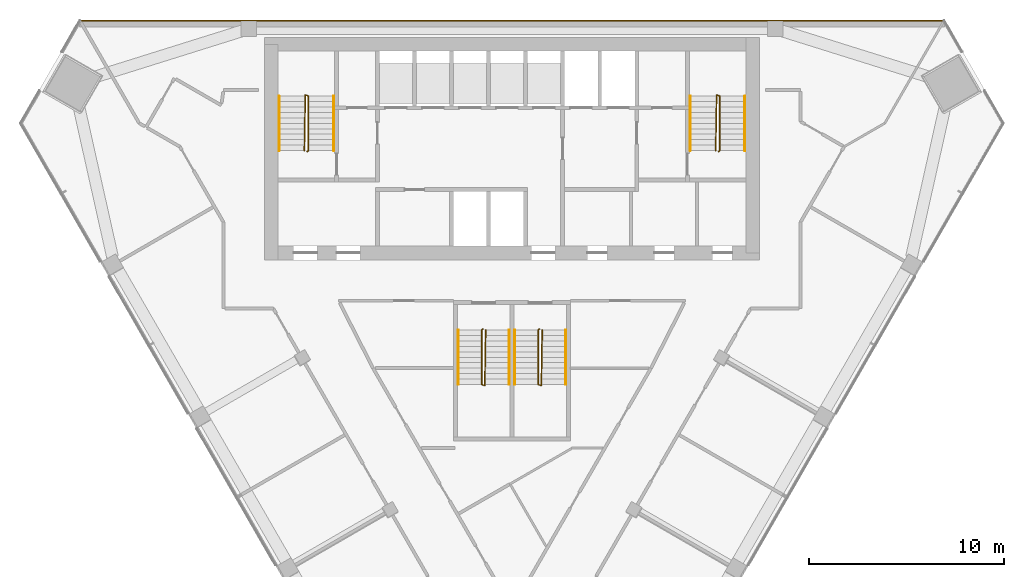
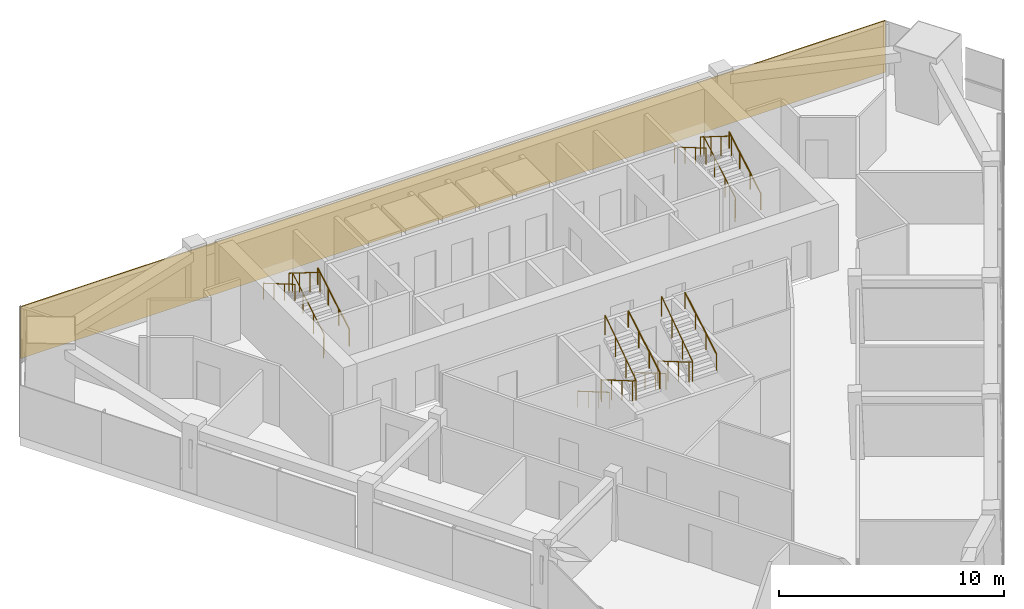
# One storey, part 12 of 13: 12 railings, 1 covering.
"""IFC4 building model written with IfcOpenShell, lengths in metres."""

from ifc_helpers import new_model, si_unit, direction, frame, frame_2d, origin, origin_2d, place, context, subcontext, project, spatial, rectangle, circle, extrude, material, layer, layer_set, type_object, element, save


model = new_model("IFC4")

# Units and contexts
model_context = context("Model", 3, precision=1e-05, world=origin(), true_north=direction((0.0, 1.0)))
body_context = subcontext(model_context, "Body", "Model", "MODEL_VIEW")
ifc_project = project(units=[si_unit("LENGTHUNIT", "METRE"), si_unit("AREAUNIT", "SQUARE_METRE"), si_unit("VOLUMEUNIT", "CUBIC_METRE"), si_unit("PLANEANGLEUNIT", "RADIAN"), si_unit("MASSUNIT", "GRAM", prefix="KILO")], contexts=[model_context])

# Site, building, storey
site_placement = place(None, origin())
site = spatial("IfcSite", under=ifc_project, at=site_placement, CompositionType="ELEMENT")
building_placement = place(site_placement, origin())
building = spatial("IfcBuilding", under=site, at=building_placement, Name="Altiplano Prism Tower", CompositionType="ELEMENT")
storey_placement = place(building_placement, frame((0.0, 0.0, 208.800048828125)))
storey = spatial("IfcBuildingStorey", under=building, at=storey_placement, Name="L54", CompositionType="ELEMENT", Elevation=208.800048828125)

# Railings
ifc_material_1 = material(Name="Steel S355", Category="steel")
railing_type_1 = type_object("IfcRailingType", Name="Stair guard 1100", PredefinedType="GUARDRAIL", material=ifc_material_1)
railing_1_placement = place(storey_placement, frame((74.5, 98.25, 0.0)))
element("IfcRailing", 1, at=railing_1_placement, inside=storey, type_object=railing_type_1, Name="L54 ST1 stair guard 1", PredefinedType="GUARDRAIL", context=body_context, shape_type="SweptSolid", body=[
    extrude(circle(Radius=0.02392578125, at=origin_2d()), frame((0.0, 0.0, 1.076171875), z_axis=(0.280808744504, 0.280808744504, 0.917765164963), x_axis=(-0.707106781187, 0.707106781187, 0.0)), (0.0, 0.0, 1.0), 0.17822265625),
    extrude(circle(Radius=0.02392578125, at=origin_2d()), frame((0.050048828125, 0.050048828125, 1.23974609375), z_axis=(0.0, 0.863360870873, 0.504586966384), x_axis=(-1.0, 0.0, 0.0)), (0.0, 0.0, 1.0), 3.2431640625),
    extrude(circle(Radius=0.02392578125, at=origin_2d()), frame((0.050048828125, 2.85009765625, 2.8759765625), z_axis=(-0.949145278916, 0.314838433982, 0.0), x_axis=(-0.314838433982, -0.949145278916, 0.0)), (0.0, 0.0, 1.0), 0.158203125),
    extrude(circle(Radius=0.02392578125, at=origin_2d()), frame((-0.10009765625, 2.89990234375, 2.8759765625), z_axis=(-0.014774583964, -0.845410385345, 0.533912906773), x_axis=(0.999847325713, -0.01747355902, 0.0)), (0.0, 0.0, 1.0), 3.370849609375),
    extrude(circle(Radius=0.02099609375, at=origin_2d()), origin(), (0.0, 0.0, 1.0), 1.052001953125),
    extrude(circle(Radius=0.02099609375, at=origin_2d()), frame((0.050048828125, 0.050048828125, 0.16357421875)), (0.0, 0.0, 1.0), 1.052001953125),
    extrude(circle(Radius=0.02099609375, at=origin_2d()), frame((0.050048828125, 0.9833984375, 0.708984375)), (0.0, 0.0, 1.0), 1.052001953125),
    extrude(circle(Radius=0.02099609375, at=origin_2d()), frame((0.050048828125, 1.916748046875, 1.254638671875)), (0.0, 0.0, 1.0), 1.052001953125),
    extrude(circle(Radius=0.02099609375, at=origin_2d()), frame((0.050048828125, 2.85009765625, 1.800048828125)), (0.0, 0.0, 1.0), 1.052001953125),
    extrude(circle(Radius=0.02099609375, at=origin_2d()), frame((-0.10009765625, 2.89990234375, 1.800048828125)), (0.0, 0.0, 1.0), 1.052001953125),
    extrude(circle(Radius=0.02099609375, at=origin_2d()), frame((-0.11669921875, 1.949951171875, 2.39990234375)), (0.0, 0.0, 1.0), 1.052001953125),
    extrude(circle(Radius=0.02099609375, at=origin_2d()), frame((-0.13330078125, 1.0, 3.0)), (0.0, 0.0, 1.0), 1.052001953125),
    extrude(circle(Radius=0.02099609375, at=origin_2d()), frame((-0.14990234375, 0.050048828125, 3.599853515625)), (0.0, 0.0, 1.0), 1.052001953125),
])
railing_2_placement = place(storey_placement, frame((95.60009765625, 98.25, 0.0)))
element("IfcRailing", 2, at=railing_2_placement, inside=storey, type_object=railing_type_1, Name="L54 ST2 stair guard 1", PredefinedType="GUARDRAIL", context=body_context, shape_type="SweptSolid", body=[
    extrude(circle(Radius=0.02392578125, at=origin_2d()), frame((0.0, 0.0, 1.076171875), z_axis=(0.279546231943, 0.280916556609, 0.91811752648), x_axis=(-0.708833529934, 0.705375805398, 0.0)), (0.0, 0.0, 1.0), 0.17822265625),
    extrude(circle(Radius=0.02392578125, at=origin_2d()), frame((0.0498046875, 0.050048828125, 1.23974609375), z_axis=(0.0, 0.863360870873, 0.504586966384), x_axis=(-1.0, 0.0, 0.0)), (0.0, 0.0, 1.0), 3.2431640625),
    extrude(circle(Radius=0.02392578125, at=origin_2d()), frame((0.0498046875, 2.85009765625, 2.8759765625), z_axis=(-0.948991962702, 0.315300261223, 0.0), x_axis=(-0.315300261223, -0.948991962702, 0.0)), (0.0, 0.0, 1.0), 0.157958984375),
    extrude(circle(Radius=0.02392578125, at=origin_2d()), frame((-0.10009765625, 2.89990234375, 2.8759765625), z_axis=(-0.014846992469, -0.845409478506, 0.533912334065), x_axis=(0.999845825584, -0.017559187376, 0.0)), (0.0, 0.0, 1.0), 3.37109375),
    extrude(circle(Radius=0.02099609375, at=origin_2d()), origin(), (0.0, 0.0, 1.0), 1.052001953125),
    extrude(circle(Radius=0.02099609375, at=origin_2d()), frame((0.0498046875, 0.050048828125, 0.16357421875)), (0.0, 0.0, 1.0), 1.052001953125),
    extrude(circle(Radius=0.02099609375, at=origin_2d()), frame((0.0498046875, 0.9833984375, 0.708984375)), (0.0, 0.0, 1.0), 1.052001953125),
    extrude(circle(Radius=0.02099609375, at=origin_2d()), frame((0.0498046875, 1.916748046875, 1.254638671875)), (0.0, 0.0, 1.0), 1.052001953125),
    extrude(circle(Radius=0.02099609375, at=origin_2d()), frame((0.0498046875, 2.85009765625, 1.800048828125)), (0.0, 0.0, 1.0), 1.052001953125),
    extrude(circle(Radius=0.02099609375, at=origin_2d()), frame((-0.10009765625, 2.89990234375, 1.800048828125)), (0.0, 0.0, 1.0), 1.052001953125),
    extrude(circle(Radius=0.02099609375, at=origin_2d()), frame((-0.11669921875, 1.949951171875, 2.39990234375)), (0.0, 0.0, 1.0), 1.052001953125),
    extrude(circle(Radius=0.02099609375, at=origin_2d()), frame((-0.133544921875, 1.0, 3.0)), (0.0, 0.0, 1.0), 1.052001953125),
    extrude(circle(Radius=0.02099609375, at=origin_2d()), frame((-0.150146484375, 0.050048828125, 3.599853515625)), (0.0, 0.0, 1.0), 1.052001953125),
])
railing_3_placement = place(storey_placement, frame((83.5, 89.14990234375, 0.0)))
element("IfcRailing", 3, at=railing_3_placement, inside=storey, type_object=railing_type_1, Name="L54 ST3A stair guard 1", PredefinedType="GUARDRAIL", context=body_context, shape_type="SweptSolid", body=[
    extrude(circle(Radius=0.02392578125, at=origin_2d()), frame((0.0, 0.0, 1.076171875), z_axis=(-0.280916556609, -0.279546231943, 0.91811752648), x_axis=(0.705375805398, -0.708833529934, 0.0)), (0.0, 0.0, 1.0), 0.17822265625),
    extrude(circle(Radius=0.02392578125, at=origin_2d()), frame((-0.050048828125, -0.0498046875, 1.23974609375), z_axis=(0.0, -0.863360870873, 0.504586966384), x_axis=(1.0, 0.0, 0.0)), (0.0, 0.0, 1.0), 3.2431640625),
    extrude(circle(Radius=0.02392578125, at=origin_2d()), frame((-0.050048828125, -2.849853515625, 2.8759765625), z_axis=(0.948683298051, -0.316227766017, 0.0), x_axis=(0.316227766017, 0.948683298051, 0.0)), (0.0, 0.0, 1.0), 0.158203125),
    extrude(circle(Radius=0.02392578125, at=origin_2d()), frame((0.10009765625, -2.89990234375, 2.8759765625), z_axis=(0.014773679385, 0.845431044782, 0.53388021776), x_axis=(-0.999847351862, 0.017472062685, 0.0)), (0.0, 0.0, 1.0), 3.37109375),
    extrude(circle(Radius=0.02099609375, at=origin_2d()), origin(), (0.0, 0.0, 1.0), 1.052001953125),
    extrude(circle(Radius=0.02099609375, at=origin_2d()), frame((-0.050048828125, -0.0498046875, 0.16357421875)), (0.0, 0.0, 1.0), 1.052001953125),
    extrude(circle(Radius=0.02099609375, at=origin_2d()), frame((-0.050048828125, -0.983154296875, 0.708984375)), (0.0, 0.0, 1.0), 1.052001953125),
    extrude(circle(Radius=0.02099609375, at=origin_2d()), frame((-0.050048828125, -1.91650390625, 1.254638671875)), (0.0, 0.0, 1.0), 1.052001953125),
    extrude(circle(Radius=0.02099609375, at=origin_2d()), frame((-0.050048828125, -2.849853515625, 1.800048828125)), (0.0, 0.0, 1.0), 1.052001953125),
    extrude(circle(Radius=0.02099609375, at=origin_2d()), frame((0.10009765625, -2.89990234375, 1.800048828125)), (0.0, 0.0, 1.0), 1.052001953125),
    extrude(circle(Radius=0.02099609375, at=origin_2d()), frame((0.11669921875, -1.949951171875, 2.39990234375)), (0.0, 0.0, 1.0), 1.052001953125),
    extrude(circle(Radius=0.02099609375, at=origin_2d()), frame((0.13330078125, -0.999755859375, 3.0)), (0.0, 0.0, 1.0), 1.052001953125),
    extrude(circle(Radius=0.02099609375, at=origin_2d()), frame((0.14990234375, -0.0498046875, 3.599853515625)), (0.0, 0.0, 1.0), 1.052001953125),
])
railing_4_placement = place(storey_placement, frame((86.39990234375, 89.14990234375, 0.0)))
element("IfcRailing", 4, at=railing_4_placement, inside=storey, type_object=railing_type_1, Name="L54 ST3B stair guard 1", PredefinedType="GUARDRAIL", context=body_context, shape_type="SweptSolid", body=[
    extrude(circle(Radius=0.02392578125, at=origin_2d()), frame((0.0, 0.0, 1.076171875), z_axis=(-0.279653641804, -0.279653641804, 0.918470294159), x_axis=(0.707106781187, -0.707106781187, 0.0)), (0.0, 0.0, 1.0), 0.177978515625),
    extrude(circle(Radius=0.02392578125, at=origin_2d()), frame((-0.0498046875, -0.0498046875, 1.23974609375), z_axis=(0.0, -0.863360870873, 0.504586966384), x_axis=(1.0, 0.0, 0.0)), (0.0, 0.0, 1.0), 3.2431640625),
    extrude(circle(Radius=0.02392578125, at=origin_2d()), frame((-0.0498046875, -2.849853515625, 2.8759765625), z_axis=(0.948528701346, -0.316691178788, 0.0), x_axis=(0.316691178788, 0.948528701346, 0.0)), (0.0, 0.0, 1.0), 0.157958984375),
    extrude(circle(Radius=0.02392578125, at=origin_2d()), frame((0.10009765625, -2.89990234375, 2.8759765625), z_axis=(0.014846083459, 0.845430138032, 0.533879645158), x_axis=(-0.999845851991, 0.017557683712, 0.0)), (0.0, 0.0, 1.0), 3.37109375),
    extrude(circle(Radius=0.02099609375, at=origin_2d()), origin(), (0.0, 0.0, 1.0), 1.052001953125),
    extrude(circle(Radius=0.02099609375, at=origin_2d()), frame((-0.0498046875, -0.0498046875, 0.16357421875)), (0.0, 0.0, 1.0), 1.052001953125),
    extrude(circle(Radius=0.02099609375, at=origin_2d()), frame((-0.0498046875, -0.983154296875, 0.708984375)), (0.0, 0.0, 1.0), 1.052001953125),
    extrude(circle(Radius=0.02099609375, at=origin_2d()), frame((-0.0498046875, -1.91650390625, 1.254638671875)), (0.0, 0.0, 1.0), 1.052001953125),
    extrude(circle(Radius=0.02099609375, at=origin_2d()), frame((-0.0498046875, -2.849853515625, 1.800048828125)), (0.0, 0.0, 1.0), 1.052001953125),
    extrude(circle(Radius=0.02099609375, at=origin_2d()), frame((0.10009765625, -2.89990234375, 1.800048828125)), (0.0, 0.0, 1.0), 1.052001953125),
    extrude(circle(Radius=0.02099609375, at=origin_2d()), frame((0.11669921875, -1.949951171875, 2.39990234375)), (0.0, 0.0, 1.0), 1.052001953125),
    extrude(circle(Radius=0.02099609375, at=origin_2d()), frame((0.133544921875, -0.999755859375, 3.0)), (0.0, 0.0, 1.0), 1.052001953125),
    extrude(circle(Radius=0.02099609375, at=origin_2d()), frame((0.150146484375, -0.0498046875, 3.599853515625)), (0.0, 0.0, 1.0), 1.052001953125),
])
railing_type_2 = type_object("IfcRailingType", Name="Stair handrail 900", PredefinedType="HANDRAIL", material=ifc_material_1)
railing_5_placement = place(storey_placement, frame((75.85009765625, 98.300048828125, 0.16357421875)))
element("IfcRailing", 5, at=railing_5_placement, inside=storey, type_object=railing_type_2, Name="L54 ST1 stair handrail 1", PredefinedType="HANDRAIL", context=body_context, shape_type="SweptSolid", body=[
    extrude(circle(Radius=0.02392578125, at=origin_2d()), frame((0.0, 0.0, 0.8759765625), z_axis=(0.0, 0.863360870873, 0.504586966384), x_axis=(-1.0, 0.0, 0.0)), (0.0, 0.0, 1.0), 3.2431640625),
    extrude(circle(Radius=0.02099609375, at=origin_2d()), origin(), (0.0, 0.0, 1.0), 0.851806640625),
    extrude(circle(Radius=0.02099609375, at=origin_2d()), frame((0.0, 0.933349609375, 0.54541015625)), (0.0, 0.0, 1.0), 0.851806640625),
    extrude(circle(Radius=0.02099609375, at=origin_2d()), frame((0.0, 1.86669921875, 1.091064453125)), (0.0, 0.0, 1.0), 0.851806640625),
    extrude(circle(Radius=0.02099609375, at=origin_2d()), frame((0.0, 2.800048828125, 1.636474609375)), (0.0, 0.0, 1.0), 0.851806640625),
])
railing_6_placement = place(storey_placement, frame((73.050048828125, 101.10009765625, 1.963623046875)))
element("IfcRailing", 6, at=railing_6_placement, inside=storey, type_object=railing_type_2, Name="L54 ST1 stair handrail 2", PredefinedType="HANDRAIL", context=body_context, shape_type="SweptSolid", body=[
    extrude(circle(Radius=0.02392578125, at=origin_2d()), frame((0.0, 0.0, 0.8759765625), z_axis=(0.0, -0.863393664356, 0.504530851732), x_axis=(1.0, 0.0, 0.0)), (0.0, 0.0, 1.0), 3.2431640625),
    extrude(circle(Radius=0.02099609375, at=origin_2d()), origin(), (0.0, 0.0, 1.0), 0.851806640625),
    extrude(circle(Radius=0.02099609375, at=origin_2d()), frame((0.0, -0.933349609375, 0.54541015625)), (0.0, 0.0, 1.0), 0.851806640625),
    extrude(circle(Radius=0.02099609375, at=origin_2d()), frame((0.0, -1.86669921875, 1.0908203125)), (0.0, 0.0, 1.0), 0.851806640625),
    extrude(circle(Radius=0.02099609375, at=origin_2d()), frame((0.0, -2.800048828125, 1.63623046875)), (0.0, 0.0, 1.0), 0.851806640625),
])
railing_7_placement = place(storey_placement, frame((96.949951171875, 98.300048828125, 0.16357421875)))
element("IfcRailing", 7, at=railing_7_placement, inside=storey, type_object=railing_type_2, Name="L54 ST2 stair handrail 1", PredefinedType="HANDRAIL", context=body_context, shape_type="SweptSolid", body=[
    extrude(circle(Radius=0.02392578125, at=origin_2d()), frame((0.0, 0.0, 0.8759765625), z_axis=(0.0, 0.863360870873, 0.504586966384), x_axis=(-1.0, 0.0, 0.0)), (0.0, 0.0, 1.0), 3.2431640625),
    extrude(circle(Radius=0.02099609375, at=origin_2d()), origin(), (0.0, 0.0, 1.0), 0.851806640625),
    extrude(circle(Radius=0.02099609375, at=origin_2d()), frame((0.0, 0.933349609375, 0.54541015625)), (0.0, 0.0, 1.0), 0.851806640625),
    extrude(circle(Radius=0.02099609375, at=origin_2d()), frame((0.0, 1.86669921875, 1.091064453125)), (0.0, 0.0, 1.0), 0.851806640625),
    extrude(circle(Radius=0.02099609375, at=origin_2d()), frame((0.0, 2.800048828125, 1.636474609375)), (0.0, 0.0, 1.0), 0.851806640625),
])
railing_8_placement = place(storey_placement, frame((94.14990234375, 101.10009765625, 1.963623046875)))
element("IfcRailing", 8, at=railing_8_placement, inside=storey, type_object=railing_type_2, Name="L54 ST2 stair handrail 2", PredefinedType="HANDRAIL", context=body_context, shape_type="SweptSolid", body=[
    extrude(circle(Radius=0.02392578125, at=origin_2d()), frame((0.0, 0.0, 0.8759765625), z_axis=(0.0, -0.863393664356, 0.504530851732), x_axis=(1.0, 0.0, 0.0)), (0.0, 0.0, 1.0), 3.2431640625),
    extrude(circle(Radius=0.02099609375, at=origin_2d()), origin(), (0.0, 0.0, 1.0), 0.851806640625),
    extrude(circle(Radius=0.02099609375, at=origin_2d()), frame((0.0, -0.933349609375, 0.54541015625)), (0.0, 0.0, 1.0), 0.851806640625),
    extrude(circle(Radius=0.02099609375, at=origin_2d()), frame((0.0, -1.86669921875, 1.0908203125)), (0.0, 0.0, 1.0), 0.851806640625),
    extrude(circle(Radius=0.02099609375, at=origin_2d()), frame((0.0, -2.800048828125, 1.63623046875)), (0.0, 0.0, 1.0), 0.851806640625),
])
railing_9_placement = place(storey_placement, frame((82.25, 89.10009765625, 0.16357421875)))
element("IfcRailing", 9, at=railing_9_placement, inside=storey, type_object=railing_type_2, Name="L54 ST3A stair handrail 1", PredefinedType="HANDRAIL", context=body_context, shape_type="SweptSolid", body=[
    extrude(circle(Radius=0.02392578125, at=origin_2d()), frame((0.0, 0.0, 0.8759765625), z_axis=(0.0, -0.863360870873, 0.504586966384), x_axis=(1.0, 0.0, 0.0)), (0.0, 0.0, 1.0), 3.2431640625),
    extrude(circle(Radius=0.02099609375, at=origin_2d()), origin(), (0.0, 0.0, 1.0), 0.851806640625),
    extrude(circle(Radius=0.02099609375, at=origin_2d()), frame((0.0, -0.933349609375, 0.54541015625)), (0.0, 0.0, 1.0), 0.851806640625),
    extrude(circle(Radius=0.02099609375, at=origin_2d()), frame((0.0, -1.86669921875, 1.091064453125)), (0.0, 0.0, 1.0), 0.851806640625),
    extrude(circle(Radius=0.02099609375, at=origin_2d()), frame((0.0, -2.800048828125, 1.636474609375)), (0.0, 0.0, 1.0), 0.851806640625),
])
railing_10_placement = place(storey_placement, frame((84.85009765625, 86.300048828125, 1.963623046875)))
element("IfcRailing", 10, at=railing_10_placement, inside=storey, type_object=railing_type_2, Name="L54 ST3A stair handrail 2", PredefinedType="HANDRAIL", context=body_context, shape_type="SweptSolid", body=[
    extrude(circle(Radius=0.02392578125, at=origin_2d()), frame((0.0, 0.0, 0.8759765625), z_axis=(0.0, 0.863393664356, 0.504530851732), x_axis=(-1.0, 0.0, 0.0)), (0.0, 0.0, 1.0), 3.2431640625),
    extrude(circle(Radius=0.02099609375, at=origin_2d()), origin(), (0.0, 0.0, 1.0), 0.851806640625),
    extrude(circle(Radius=0.02099609375, at=origin_2d()), frame((0.0, 0.933349609375, 0.54541015625)), (0.0, 0.0, 1.0), 0.851806640625),
    extrude(circle(Radius=0.02099609375, at=origin_2d()), frame((0.0, 1.86669921875, 1.0908203125)), (0.0, 0.0, 1.0), 0.851806640625),
    extrude(circle(Radius=0.02099609375, at=origin_2d()), frame((0.0, 2.800048828125, 1.63623046875)), (0.0, 0.0, 1.0), 0.851806640625),
])
railing_11_placement = place(storey_placement, frame((85.14990234375, 89.10009765625, 0.16357421875)))
element("IfcRailing", 11, at=railing_11_placement, inside=storey, type_object=railing_type_2, Name="L54 ST3B stair handrail 1", PredefinedType="HANDRAIL", context=body_context, shape_type="SweptSolid", body=[
    extrude(circle(Radius=0.02392578125, at=origin_2d()), frame((0.0, 0.0, 0.8759765625), z_axis=(0.0, -0.863360870873, 0.504586966384), x_axis=(1.0, 0.0, 0.0)), (0.0, 0.0, 1.0), 3.2431640625),
    extrude(circle(Radius=0.02099609375, at=origin_2d()), origin(), (0.0, 0.0, 1.0), 0.851806640625),
    extrude(circle(Radius=0.02099609375, at=origin_2d()), frame((0.0, -0.933349609375, 0.54541015625)), (0.0, 0.0, 1.0), 0.851806640625),
    extrude(circle(Radius=0.02099609375, at=origin_2d()), frame((0.0, -1.86669921875, 1.091064453125)), (0.0, 0.0, 1.0), 0.851806640625),
    extrude(circle(Radius=0.02099609375, at=origin_2d()), frame((0.0, -2.800048828125, 1.636474609375)), (0.0, 0.0, 1.0), 0.851806640625),
])
railing_12_placement = place(storey_placement, frame((87.75, 86.300048828125, 1.963623046875)))
element("IfcRailing", 12, at=railing_12_placement, inside=storey, type_object=railing_type_2, Name="L54 ST3B stair handrail 2", PredefinedType="HANDRAIL", context=body_context, shape_type="SweptSolid", body=[
    extrude(circle(Radius=0.02392578125, at=origin_2d()), frame((0.0, 0.0, 0.8759765625), z_axis=(0.0, 0.863393664356, 0.504530851732), x_axis=(-1.0, 0.0, 0.0)), (0.0, 0.0, 1.0), 3.2431640625),
    extrude(circle(Radius=0.02099609375, at=origin_2d()), origin(), (0.0, 0.0, 1.0), 0.851806640625),
    extrude(circle(Radius=0.02099609375, at=origin_2d()), frame((0.0, 0.933349609375, 0.54541015625)), (0.0, 0.0, 1.0), 0.851806640625),
    extrude(circle(Radius=0.02099609375, at=origin_2d()), frame((0.0, 1.86669921875, 1.0908203125)), (0.0, 0.0, 1.0), 0.851806640625),
    extrude(circle(Radius=0.02099609375, at=origin_2d()), frame((0.0, 2.800048828125, 1.63623046875)), (0.0, 0.0, 1.0), 0.851806640625),
])

# Covering
ifc_material_2 = material(Name="Warm limestone cast stone", Category="masonry")
ifc_layer = layer(ifc_material_2, 0.06005859375)
ifc_layer_set = layer_set([ifc_layer], Name="Warm limestone cast stone")
covering_type = type_object("IfcCoveringType", Name="Stone cladding 60", PredefinedType="CLADDING", material=ifc_layer_set)
covering_placement = place(storey_placement, frame((62.81884765625, 104.969970703125, 0.0), z_axis=(0.0, 0.0, 1.0), x_axis=(1.0, 0.0, 0.0)))
element("IfcCovering", 13, at=covering_placement, inside=storey, type_object=covering_type, Name="Stone cladding north face L54", PredefinedType="CLADDING", context=body_context, shape_type="SweptSolid", body=[
    extrude(rectangle(XDim=44.3623046875, YDim=0.06005859375, at=frame_2d((22.18115234375, 0.0))), origin(), (0.0, 0.0, 1.0), 2.800048828125),
])

save(model, "model.ifc")
